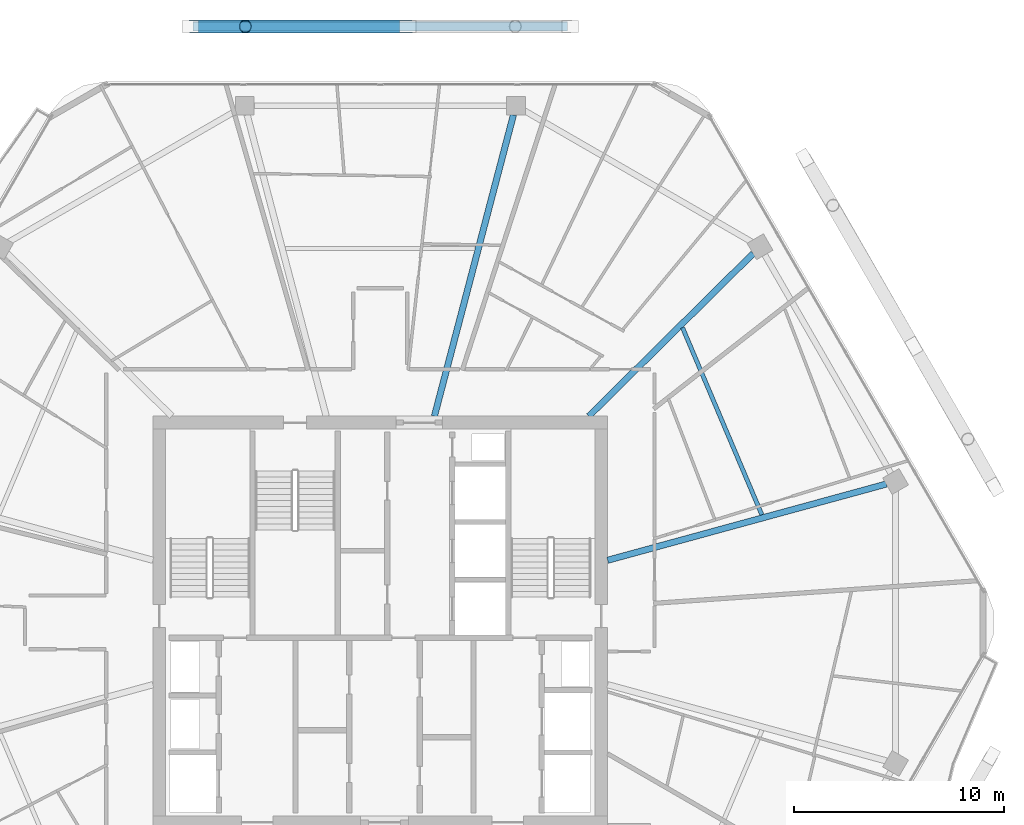
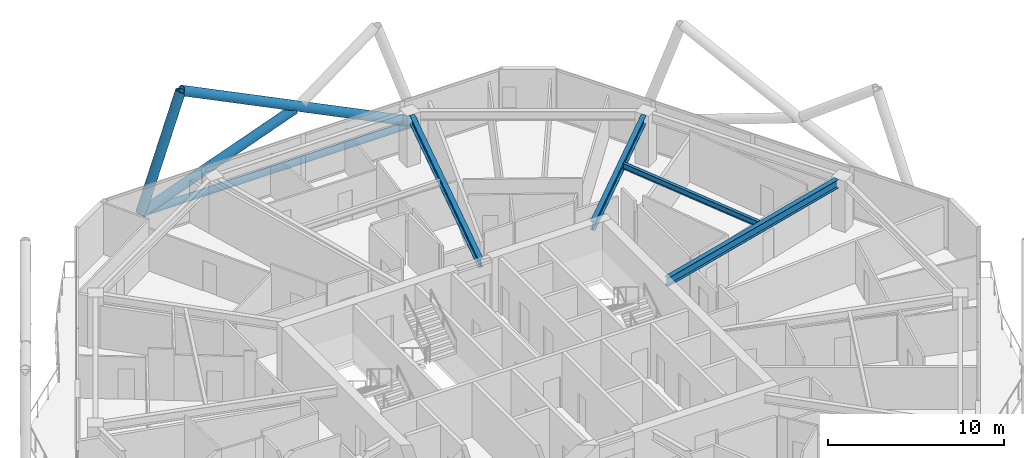
# One storey, part 16 of 29: 4 beams, 4 members.
"""IFC4 building model written with IfcOpenShell, lengths in metres."""

from ifc_helpers import new_model, si_unit, direction, frame, origin, origin_2d, place, context, subcontext, project, spatial, hollow_circle, i_section, extrude, material, material_profile, profile_set, type_object, element, save


model = new_model("IFC4")

# Units and contexts
model_context = context("Model", 3, precision=1e-05, world=origin(), true_north=direction((0.0, 1.0)))
body_context = subcontext(model_context, "Body", "Model", "MODEL_VIEW")
ifc_project = project(units=[si_unit("LENGTHUNIT", "METRE"), si_unit("AREAUNIT", "SQUARE_METRE"), si_unit("VOLUMEUNIT", "CUBIC_METRE"), si_unit("PLANEANGLEUNIT", "RADIAN"), si_unit("MASSUNIT", "GRAM", prefix="KILO")], contexts=[model_context])

# Site, building, storey
site_placement = place(None, origin())
site = spatial("IfcSite", under=ifc_project, at=site_placement, CompositionType="ELEMENT")
building_placement = place(site_placement, origin())
building = spatial("IfcBuilding", under=site, at=building_placement, Name="Zuhravey Tower", CompositionType="ELEMENT")
storey_placement = place(building_placement, frame((0.0, 0.0, 246.39990234375)))
storey = spatial("IfcBuildingStorey", under=building, at=storey_placement, Name="L62", CompositionType="ELEMENT", Elevation=246.39990234375)

# Members
ifc_material = material(Name="Steel SM355", Category="steel")
ifc_material_profile_1 = material_profile(ifc_material, hollow_circle(Radius=0.228515625, WallThickness=0.02197265625, at=origin_2d()), Name="CHS-457.2x22")
ifc_profile_set_1 = profile_set([ifc_material_profile_1], Name="Steel SM355")
member_type_1 = type_object("IfcMemberType", Name="Exoskeleton Ring Tie CHS457x22", PredefinedType="CHORD", material=ifc_profile_set_1)
member_1_placement = place(storey_placement, frame((44.888916015625, 60.323486328125, -0.4638671875), z_axis=(-1.0, 0.0, 0.0), x_axis=(0.0, -1.0, 0.0)))
element("IfcMember", 1, at=member_1_placement, inside=storey, type_object=member_type_1, Name="L62 Exoskeleton Face 2 Tie EXR1", PredefinedType="CHORD", context=body_context, shape_type="SweptSolid", body=[
    extrude(hollow_circle(Radius=0.228515625, WallThickness=0.02197265625, at=origin_2d()), origin(), (0.0, 0.0, 1.0), 17.77783203125),
])
ifc_material_profile_2 = material_profile(ifc_material, hollow_circle(Radius=0.3046875, WallThickness=0.028076171875, at=origin_2d()), Name="CHS-609.6x28")
ifc_profile_set_2 = profile_set([ifc_material_profile_2], Name="Steel SM355")
member_type_2 = type_object("IfcMemberType", Name="Exoskeleton Zone 3 Diagrid CHS610x28", PredefinedType="BRACE", material=ifc_profile_set_2)
member_2_placement = place(storey_placement, frame((44.992431640625, 60.323486328125, -0.44580078125), z_axis=(-0.897161810558, 0.0, 0.441702032683), x_axis=(0.0, -1.0, 0.0)))
element("IfcMember", 2, at=member_2_placement, inside=storey, type_object=member_type_2, Name="L62 Face 2 Diagrid Brace 2", PredefinedType="BRACE", context=body_context, shape_type="SweptSolid", body=[
    extrude(hollow_circle(Radius=0.3046875, WallThickness=0.028076171875, at=origin_2d()), origin(), (0.0, 0.0, 1.0), 17.12451171875),
])
member_3_placement = place(storey_placement, frame((26.977294921875, 60.323486328125, -0.44580078125), z_axis=(0.326060268586, 0.0, 0.945348983841), x_axis=(0.0, 1.0, 0.0)))
element("IfcMember", 3, at=member_3_placement, inside=storey, type_object=member_type_2, Name="L62 Face 2 Diagrid Brace 4", PredefinedType="BRACE", context=body_context, shape_type="SweptSolid", body=[
    extrude(hollow_circle(Radius=0.3046875, WallThickness=0.028076171875, at=origin_2d()), origin(), (0.0, 0.0, 1.0), 8.001220703125),
])
member_4_placement = place(storey_placement, frame((27.00927734375, 60.323486328125, -0.449951171875), z_axis=(0.938612518057, 0.0, 0.344973246712), x_axis=(0.0, 1.0, 0.0)))
element("IfcMember", 4, at=member_4_placement, inside=storey, type_object=member_type_2, Name="L62 Face 2 Split Diagrid Brace 3A", PredefinedType="BRACE", context=body_context, shape_type="SweptSolid", body=[
    extrude(hollow_circle(Radius=0.3046875, WallThickness=0.028076171875, at=origin_2d()), origin(), (0.0, 0.0, 1.0), 10.679931640625),
])

# Beams
ifc_material_profile_3 = material_profile(ifc_material, i_section(OverallWidth=0.300048828125, OverallDepth=0.60009765625, WebThickness=0.011962890625, FlangeThickness=0.02001953125, at=origin_2d()), Name="H-600x300x12x20")
ifc_profile_set_3 = profile_set([ifc_material_profile_3], Name="Steel SM355")
beam_type_1 = type_object("IfcBeamType", Name="Radial Primary Girder H600x300", PredefinedType="BEAM", material=ifc_profile_set_3)
beam_1_placement = place(storey_placement, frame((46.802978515625, 34.95556640625, 3.25), z_axis=(0.964548913045, 0.26390413855, 0.0), x_axis=(-0.26390413855, 0.964548913045, 0.0)))
element("IfcBeam", 5, at=beam_1_placement, inside=storey, type_object=beam_type_1, Name="L62 RG3 BM-L62-RAD-01", PredefinedType="BEAM", context=body_context, shape_type="SweptSolid", body=[
    extrude(i_section(OverallWidth=0.300048828125, OverallDepth=0.60009765625, WebThickness=0.011962890625, FlangeThickness=0.02001953125, at=origin_2d()), origin(), (0.0, 0.0, 1.0), 13.7314453125),
])
beam_2_placement = place(storey_placement, frame((45.90673828125, 41.802978515625, 3.25), z_axis=(0.710816516282, 0.703377480576, 0.0), x_axis=(-0.703377480576, 0.710816516282, 0.0)))
element("IfcBeam", 6, at=beam_2_placement, inside=storey, type_object=beam_type_1, Name="L62 RG3 BM-L62-RAD-02", PredefinedType="BEAM", context=body_context, shape_type="SweptSolid", body=[
    extrude(i_section(OverallWidth=0.300048828125, OverallDepth=0.60009765625, WebThickness=0.011962890625, FlangeThickness=0.02001953125, at=origin_2d()), origin(), (0.0, 0.0, 1.0), 10.994384765625),
])
beam_3_placement = place(storey_placement, frame((38.571533203125, 41.802978515625, 3.25), z_axis=(0.253731415841, 0.967274712073, 0.0), x_axis=(-0.967274712073, 0.253731415841, 0.0)))
element("IfcBeam", 7, at=beam_3_placement, inside=storey, type_object=beam_type_1, Name="L62 RG3 BM-L62-RAD-03", PredefinedType="BEAM", context=body_context, shape_type="SweptSolid", body=[
    extrude(i_section(OverallWidth=0.300048828125, OverallDepth=0.60009765625, WebThickness=0.011962890625, FlangeThickness=0.02001953125, at=origin_2d()), origin(), (0.0, 0.0, 1.0), 14.796630859375),
])
ifc_material_profile_4 = material_profile(ifc_material, i_section(OverallWidth=0.199951171875, OverallDepth=0.39990234375, WebThickness=0.008056640625, FlangeThickness=0.012939453125, at=origin_2d()), Name="H-400x200x8x13")
ifc_profile_set_4 = profile_set([ifc_material_profile_4], Name="Steel SM355")
beam_type_2 = type_object("IfcBeamType", Name="Secondary Floor Joist H400x200", PredefinedType="JOIST", material=ifc_profile_set_4)
beam_4_placement = place(storey_placement, frame((54.130859375, 37.118896484375, 3.35009765625), z_axis=(-0.390413493754, 0.920639616731, 0.0), x_axis=(-0.920639616731, -0.390413493754, 0.0)))
element("IfcBeam", 8, at=beam_4_placement, inside=storey, type_object=beam_type_2, Name="L62 SJ2 BM-L62-SJ-01-1", PredefinedType="JOIST", context=body_context, shape_type="SweptSolid", body=[
    extrude(i_section(OverallWidth=0.199951171875, OverallDepth=0.39990234375, WebThickness=0.008056640625, FlangeThickness=0.012939453125, at=origin_2d()), origin(), (0.0, 0.0, 1.0), 9.656494140625),
])

save(model, "model.ifc")
